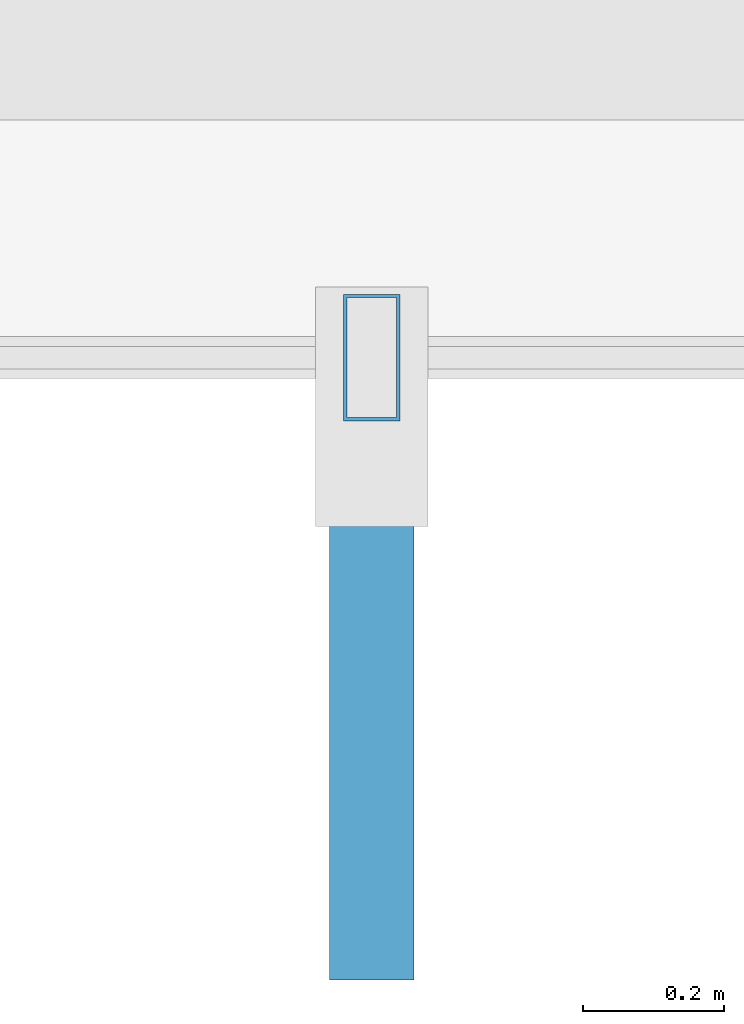
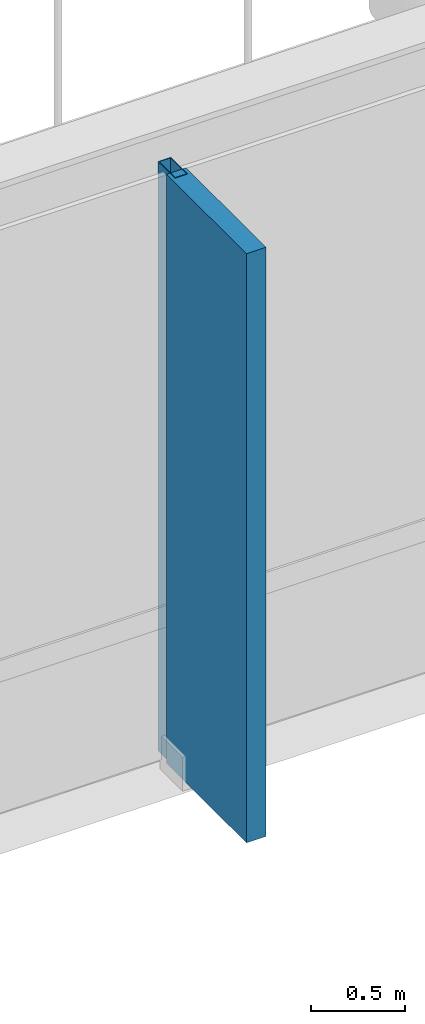
# One storey, part 8 of 27: 2 members, 1 element without a shape of its own.
"""IFC4 building model written with IfcOpenShell, lengths in metres."""

from ifc_helpers import new_model, si_unit, direction, frame, origin, origin_2d, place, context, subcontext, project, spatial, rectangle, hollow_rectangle, extrude, material, layer, layer_set, material_profile, profile_set, type_object, element, aggregate, save


model = new_model("IFC4")

# Units and contexts
model_context = context("Model", 3, precision=1e-05, world=origin(), true_north=direction((0.0, 1.0)))
body_context = subcontext(model_context, "Body", "Model", "MODEL_VIEW")
ifc_project = project(units=[si_unit("LENGTHUNIT", "METRE"), si_unit("AREAUNIT", "SQUARE_METRE"), si_unit("VOLUMEUNIT", "CUBIC_METRE"), si_unit("PLANEANGLEUNIT", "RADIAN"), si_unit("MASSUNIT", "GRAM", prefix="KILO")], contexts=[model_context])

# Site, building, storey
site_placement = place(None, origin())
site = spatial("IfcSite", under=ifc_project, at=site_placement, CompositionType="ELEMENT")
building_placement = place(site_placement, origin())
building = spatial("IfcBuilding", under=site, at=building_placement, Name="Zarrinselat Tower", CompositionType="ELEMENT")
storey_placement = place(building_placement, frame((0.0, 0.0, 47.93994140625)))
storey = spatial("IfcBuildingStorey", under=building, at=storey_placement, Name="L11", CompositionType="ELEMENT", Elevation=47.93994140625)

# Curtain wall, members
ifc_material_1 = material(Name="Extruded Aluminium Alloy EN AW-6063 T6", Category="aluminium")
ifc_layer = layer(ifc_material_1, 0.18505859375)
ifc_layer_set = layer_set([ifc_layer], Name="Extruded Aluminium Alloy EN AW-6063 T6")
curtain_wall_type = type_object("IfcCurtainWallType", Name="CWS-OFF", PredefinedType="NOTDEFINED", material=ifc_layer_set)
curtain_wall_placement = place(storey_placement, origin())
curtain_wall = element("IfcCurtainWall", 1, at=curtain_wall_placement, inside=storey, type_object=curtain_wall_type, Name="L11 Unitised Curtain Wall CW-L11-E04", PredefinedType="NOTDEFINED")
ifc_material_2 = material(Name="Extruded Aluminium Alloy EN AW-6063 T6", Category="aluminium")
ifc_material_profile_1 = material_profile(ifc_material_2, hollow_rectangle(XDim=0.080078125, YDim=0.179931640625, WallThickness=0.0048828125, at=origin_2d()), Name="RHS 180x80x5")
ifc_profile_set_1 = profile_set([ifc_material_profile_1], Name="Extruded Aluminium Alloy EN AW-6063 T6")
member_type_1 = type_object("IfcMemberType", Name="MEM-CW-MUL", PredefinedType="MULLION", material=ifc_profile_set_1)
member_1_placement = place(storey_placement, frame((38.39990234375, 19.02294921875, 0.0), z_axis=(0.0, 0.0, 1.0), x_axis=(1.0, 0.0, 0.0)))
member_1 = element("IfcMember", 2, at=member_1_placement, type_object=member_type_1, Name="CW-L11-E04 Mullion 3", PredefinedType="MULLION", context=body_context, shape_type="SweptSolid", body=[
    extrude(hollow_rectangle(XDim=0.080078125, YDim=0.179931640625, WallThickness=0.0048828125, at=origin_2d()), origin(), (0.0, 0.0, 1.0), 3.820068359375),
])
ifc_material_3 = material(Name="Honed Cream Travertine Stone", Category="masonry")
ifc_material_profile_2 = material_profile(ifc_material_3, rectangle(XDim=0.1201171875, YDim=0.85009765625, at=origin_2d()), Name="FIN 850x120")
ifc_profile_set_2 = profile_set([ifc_material_profile_2], Name="Honed Cream Travertine Stone")
member_type_2 = type_object("IfcMemberType", Name="MEM-STONE-FIN", PredefinedType="USERDEFINED", material=ifc_profile_set_2)
member_2_placement = place(storey_placement, frame((38.39990234375, 18.56298828125, 0.0), z_axis=(0.0, 0.0, 1.0), x_axis=(-1.0, 0.0, 0.0)))
member_2 = element("IfcMember", 3, at=member_2_placement, type_object=member_type_2, Name="L11 Stone Shading Fin CW-L11-E04-03", ObjectType="FIN", PredefinedType="USERDEFINED", context=body_context, shape_type="SweptSolid", body=[
    extrude(rectangle(XDim=0.1201171875, YDim=0.85009765625, at=origin_2d()), origin(), (0.0, 0.0, 1.0), 3.820068359375),
])
aggregate(curtain_wall, [member_1, member_2])

save(model, "model.ifc")
